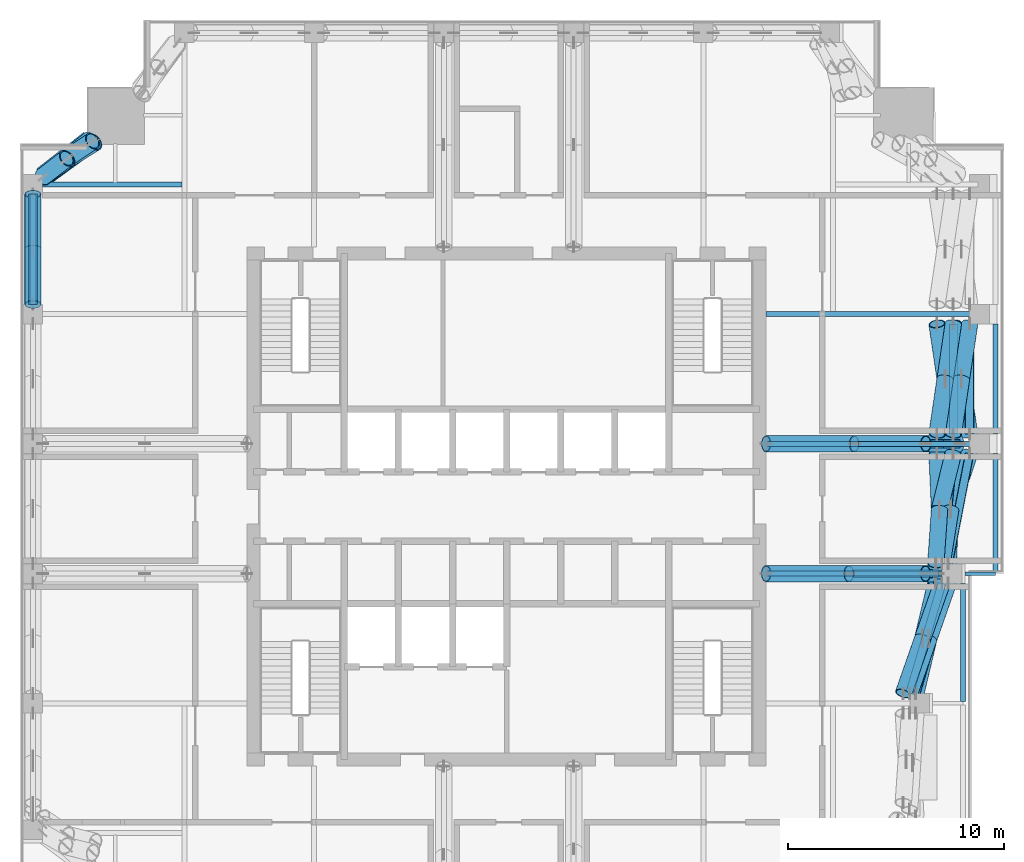
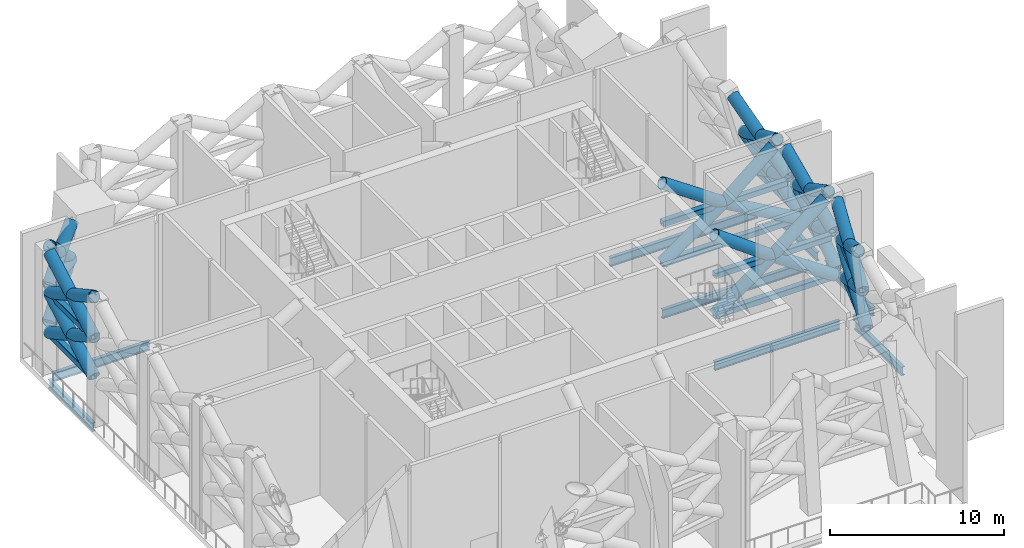
# One storey, part 4 of 18: 38 members, 23 beams.
"""IFC4 building model written with IfcOpenShell, lengths in metres."""

import ifcopenshell
import ifcopenshell.guid

model = None  # the IFC model being written
_history = None  # IfcOwnerHistory: only IFC2X3 demands one
_inside = {}  # id of a spatial element -> (the spatial element, [elements in it])
_under = {}  # id of a project, library or spatial element -> (it, [spatial elements below it])
_declared = {}  # id of a project -> (the project, [libraries it declares])
_typed = {}  # id of a type object -> (the type object, [elements of that type])
_made_of = {}  # id of a material, layer set ... -> (it, [elements and type objects made of it])


def new_model(schema):
    """Start an empty IFC model of exactly this schema.

    Asked for "IFC4X3", IfcOpenShell would pick the latest addendum, in which some entities
    have other attributes; the version numbers below select the first issue.
    IFC2X3 requires an IfcOwnerHistory on every rooted entity: one is made here for all.
    """
    global model, _history
    if schema == "IFC4X3":
        model = ifcopenshell.file(schema_version=(4, 3, 0, 0))
    else:
        model = ifcopenshell.file(schema=schema)
    _inside.clear()
    _under.clear()
    _declared.clear()
    _typed.clear()
    _made_of.clear()
    _history = None
    if model.schema == "IFC2X3":
        org = make("IfcOrganization", Name="unknown")
        user = make(
            "IfcPersonAndOrganization",
            ThePerson=make("IfcPerson", FamilyName="unknown"),
            TheOrganization=org,
        )
        app = make(
            "IfcApplication",
            ApplicationDeveloper=org,
            Version="unknown",
            ApplicationFullName="unknown",
            ApplicationIdentifier="unknown",
        )
        _history = make(
            "IfcOwnerHistory",
            OwningUser=user,
            OwningApplication=app,
            ChangeAction="ADDED",
            CreationDate=0,
        )
    return model


def make(cls, **values):
    """One entity of the class cls with the attributes given. An attribute that is None is left unset."""
    return model.create_entity(
        cls, **{name: value for name, value in values.items() if value is not None}
    )


def rooted(cls, **values):
    """An entity with a GlobalId (a new one), such as an element, a storey or a relation."""
    return make(cls, GlobalId=ifcopenshell.guid.new(), OwnerHistory=_history, **values)


def si_unit(unit_type, name, prefix=None):
    """IfcSIUnit, for example si_unit("LENGTHUNIT", "METRE", prefix="MILLI")."""
    return make("IfcSIUnit", UnitType=unit_type, Prefix=prefix, Name=name)


def assignment(units):
    """IfcUnitAssignment: the units of a project."""
    return None if units is None else make("IfcUnitAssignment", Units=units)


def point(xyz):
    """IfcCartesianPoint."""
    return None if xyz is None else make("IfcCartesianPoint", Coordinates=xyz)


def direction(xyz):
    """IfcDirection."""
    return None if xyz is None else make("IfcDirection", DirectionRatios=xyz)


def frame(location, z_axis=None, x_axis=None):
    """IfcAxis2Placement3D, a coordinate frame: its origin and axes. An axis left out is left unset."""
    return make(
        "IfcAxis2Placement3D",
        Location=point(location),
        Axis=direction(z_axis),
        RefDirection=direction(x_axis),
    )


def frame_2d(location, x_axis=None):
    """IfcAxis2Placement2D, a coordinate frame in the plane: its origin and x axis."""
    return make(
        "IfcAxis2Placement2D", Location=point(location), RefDirection=direction(x_axis)
    )


def origin():
    """The frame at (0, 0, 0) with its axes left unset."""
    return frame((0.0, 0.0, 0.0))


def origin_2d():
    """The frame at (0, 0) in the plane with its x axis left unset."""
    return frame_2d((0.0, 0.0))


def place(relative_to, where):
    """IfcLocalPlacement: puts the frame where relative to a parent placement (None: the world)."""
    return make(
        "IfcLocalPlacement", PlacementRelTo=relative_to, RelativePlacement=where
    )


def context(
    kind, dimensions, precision=None, world=None, true_north=None, identifier=None
):
    """IfcGeometricRepresentationContext, for example the 3D "Model" context."""
    return make(
        "IfcGeometricRepresentationContext",
        ContextIdentifier=identifier,
        ContextType=kind,
        CoordinateSpaceDimension=dimensions,
        Precision=precision,
        WorldCoordinateSystem=world,
        TrueNorth=true_north,
    )


def subcontext(parent, identifier, kind, view, scale=None):
    """IfcGeometricRepresentationSubContext, for example "Body" below "Model"."""
    return make(
        "IfcGeometricRepresentationSubContext",
        ContextIdentifier=identifier,
        ContextType=kind,
        ParentContext=parent,
        TargetScale=scale,
        TargetView=view,
    )


def project(units=None, contexts=None):
    """IfcProject with its units and contexts."""
    return rooted(
        "IfcProject",
        Name="project",
        RepresentationContexts=contexts,
        UnitsInContext=assignment(units),
    )


def spatial(cls, under=None, at=None, **own):
    """A site, building, storey or space (cls), placed at a placement, below another one or the project."""
    s = rooted(cls, ObjectPlacement=at, **own)
    if under is not None:
        _under.setdefault(under.id(), (under, []))[1].append(s)
    return s


def profile(cls, at=None, kind="AREA", **sizes):
    """A parametric profile (cls). Its sizes go by their IFC names, for example OverallWidth=200.0."""
    return make(cls, ProfileType=kind, Position=at, **sizes)


def hollow_rectangle(**sizes):
    """IfcRectangleHollowProfileDef."""
    return profile("IfcRectangleHollowProfileDef", **sizes)


def hollow_circle(**sizes):
    """IfcCircleHollowProfileDef."""
    return profile("IfcCircleHollowProfileDef", **sizes)


def i_section(**sizes):
    """IfcIShapeProfileDef."""
    return profile("IfcIShapeProfileDef", **sizes)


def extrude(swept, where, along, depth):
    """IfcExtrudedAreaSolid: the profile swept, set in the frame where, extruded along a direction by depth."""
    return make(
        "IfcExtrudedAreaSolid",
        SweptArea=swept,
        Position=where,
        ExtrudedDirection=direction(along),
        Depth=depth,
    )


def shape(context_of_items, identifier, shape_type, items):
    """IfcShapeRepresentation: the items that make up one representation, for example the "Body"."""
    return make(
        "IfcShapeRepresentation",
        ContextOfItems=context_of_items,
        RepresentationIdentifier=identifier,
        RepresentationType=shape_type,
        Items=items,
    )


def material(Name=None, Category=None):
    """IfcMaterial."""
    return make("IfcMaterial", Name=Name, Category=Category)


def material_profile(
    of_material, cross_section, Name=None, Category=None, Priority=None
):
    """IfcMaterialProfile: a cross section and its material."""
    return make(
        "IfcMaterialProfile",
        Name=Name,
        Material=of_material,
        Profile=cross_section,
        Priority=Priority,
        Category=Category,
    )


def profile_set(profiles, Name=None, composite=None):
    """IfcMaterialProfileSet."""
    return make(
        "IfcMaterialProfileSet",
        Name=Name,
        MaterialProfiles=profiles,
        CompositeProfile=composite,
    )


def made_of(thing, what):
    """Note that an element or type object is made of a material, layer set ...; save() writes the relation."""
    if what is not None:
        _made_of.setdefault(what.id(), (what, []))[1].append(thing)
    return thing


def type_object(cls, material=None, **own):
    """A type object (cls), such as IfcWallType, which elements share."""
    return made_of(rooted(cls, **own), material)


def element(
    cls,
    number,
    at=None,
    inside=None,
    cuts=None,
    type_object=None,
    material=None,
    context=None,
    identifier="Body",
    shape_type=None,
    held_by="IfcProductDefinitionShape",
    body=None,
    shapes=None,
    **own,
):
    """One element of the class cls, such as IfcWall. Its Tag is "e" and its number.

    at: its placement. inside: the storey or other place that contains it. cuts: it is an
    opening in that element (IfcRelVoidsElement). A single representation is given by context,
    identifier, shape_type and body (its items); several are given by shapes. held_by: the class
    of the entity that holds the representations. save() writes the other relations.
    """
    e = rooted(cls, Tag="e%d" % number, ObjectPlacement=at, **own)
    if body is not None:
        shapes = [shape(context, identifier, shape_type, body)]
    if shapes is not None:
        e.Representation = make(held_by, Representations=shapes)
    if inside is not None:
        _inside.setdefault(inside.id(), (inside, []))[1].append(e)
    if cuts is not None:
        rooted(
            "IfcRelVoidsElement", RelatingBuildingElement=cuts, RelatedOpeningElement=e
        )
    if type_object is not None:
        _typed.setdefault(type_object.id(), (type_object, []))[1].append(e)
    return made_of(e, material)


def aggregate(whole, parts):
    """IfcRelAggregates: a whole, such as a stair, and the parts it consists of."""
    return rooted("IfcRelAggregates", RelatingObject=whole, RelatedObjects=parts)


def save(model, path):
    """Write the relations noted so far, then the file.

    IfcRelAggregates (storeys below a building ...), IfcRelContainedInSpatialStructure (elements
    in a storey), IfcRelDefinesByType, IfcRelAssociatesMaterial and IfcRelDeclares: one each for
    every whole, place, type object, material and project.
    """
    for whole, parts in _under.values():
        aggregate(whole, parts)
    for where, things in _inside.values():
        rooted(
            "IfcRelContainedInSpatialStructure",
            RelatedElements=things,
            RelatingStructure=where,
        )
    for kind, things in _typed.values():
        rooted("IfcRelDefinesByType", RelatedObjects=things, RelatingType=kind)
    for what, things in _made_of.values():
        rooted("IfcRelAssociatesMaterial", RelatedObjects=things, RelatingMaterial=what)
    for by, libraries in _declared.values():
        rooted("IfcRelDeclares", RelatingContext=by, RelatedDefinitions=libraries)
    model.write(path)


model = new_model("IFC4")

# Units and contexts
model_context = context("Model", 3, precision=1e-05, world=origin(), true_north=direction((0.0, 1.0)))
body_context = subcontext(model_context, "Body", "Model", "MODEL_VIEW")
ifc_project = project(units=[si_unit("LENGTHUNIT", "METRE"), si_unit("AREAUNIT", "SQUARE_METRE"), si_unit("VOLUMEUNIT", "CUBIC_METRE"), si_unit("PLANEANGLEUNIT", "RADIAN"), si_unit("MASSUNIT", "GRAM", prefix="KILO")], contexts=[model_context])

# Site, building, storey
site_placement = place(None, origin())
site = spatial("IfcSite", under=ifc_project, at=site_placement, CompositionType="ELEMENT")
building_placement = place(site_placement, origin())
building = spatial("IfcBuilding", under=site, at=building_placement, Name="Amberfall Residences", CompositionType="ELEMENT")
storey_placement = place(building_placement, frame((0.0, 0.0, 229.89990234375)))
storey = spatial("IfcBuildingStorey", under=building, at=storey_placement, Name="L62", CompositionType="ELEMENT", Elevation=229.89990234375)

# Beams
ifc_material = material(Name="Steel S355", Category="steel")
ifc_material_profile_1 = material_profile(ifc_material, hollow_circle(Radius=0.457275390625, WallThickness=0.06005859375, at=origin_2d()), Name="CHS 914.4x60")
ifc_profile_set_1 = profile_set([ifc_material_profile_1], Name="Steel S355")
beam_type_1 = type_object("IfcBeamType", Name="Belt truss chord BT CHS 914.4x60", PredefinedType="BEAM", material=ifc_profile_set_1)
beam_1_placement = place(storey_placement, frame((55.231201171875, 62.45361328125, 3.0), z_axis=(-0.788310564255, -0.615277542483, 0.0), x_axis=(0.615277542483, -0.788310564255, 0.0)))
element("IfcBeam", 1, at=beam_1_placement, inside=storey, type_object=beam_type_1, Name="Belt truss chord BT2 L62 NWW", PredefinedType="BEAM", context=body_context, shape_type="SweptSolid", body=[
    extrude(hollow_circle(Radius=0.457275390625, WallThickness=0.06005859375, at=origin_2d()), origin(), (0.0, 0.0, 1.0), 2.766845703125),
])
beam_2_placement = place(storey_placement, frame((55.35205078125, 62.40185546875, 5.646484375), z_axis=(-0.808673031194, -0.588258385933, 0.0), x_axis=(0.588258385933, -0.808673031194, 0.0)))
element("IfcBeam", 2, at=beam_2_placement, inside=storey, type_object=beam_type_1, Name="Belt truss chord BT2 L62 NWWm", PredefinedType="BEAM", context=body_context, shape_type="SweptSolid", body=[
    extrude(hollow_circle(Radius=0.457275390625, WallThickness=0.06005859375, at=origin_2d()), origin(), (0.0, 0.0, 1.0), 2.8466796875),
])
ifc_material_profile_2 = material_profile(ifc_material, hollow_rectangle(XDim=0.39990234375, YDim=0.39990234375, WallThickness=0.02001953125, InnerFilletRadius=0.02001953125, OuterFilletRadius=0.030029296875, at=origin_2d()), Name="RHS 400x400x20")
ifc_profile_set_2 = profile_set([ifc_material_profile_2], Name="Steel S355")
beam_type_2 = type_object("IfcBeamType", Name="Belt truss chord BT RHS 400x400x20", PredefinedType="BEAM", material=ifc_profile_set_2)
for number, where, z_axis, x_axis, name in (
    (3, (93.421142578125, 36.85009765625, 2.900146484375), (0.282173783419, 0.959363307591, 0.0), (-0.959363307591, 0.282173783419, 0.0), "Belt truss chord BT3 L62 E2"),
    (4, (93.1337890625, 36.85009765625, 5.7001953125), (0.282173783419, 0.959363307591, 0.0), (-0.959363307591, 0.282173783419, 0.0), "Belt truss chord BT3 L62 E2m"),
):
    element("IfcBeam", number, at=place(storey_placement, frame(where, z_axis=z_axis, x_axis=x_axis)), inside=storey, type_object=beam_type_2, Name=name, PredefinedType="BEAM", context=body_context, shape_type="SweptSolid", body=[
        extrude(hollow_rectangle(XDim=0.39990234375, YDim=0.39990234375, WallThickness=0.02001953125, InnerFilletRadius=0.02001953125, OuterFilletRadius=0.030029296875, at=origin_2d()), origin(), (0.0, 0.0, 1.0), 5.31591796875),
    ])
beam_3_placement = place(storey_placement, frame((94.921142578125, 42.85009765625, 2.900146484375), z_axis=(0.189975141776, 0.981788900684, 0.0), x_axis=(-0.981788900684, 0.189975141776, 0.0)))
element("IfcBeam", 5, at=beam_3_placement, inside=storey, type_object=beam_type_2, Name="Belt truss chord BT3 L62 E3", PredefinedType="BEAM", context=body_context, shape_type="SweptSolid", body=[
    extrude(hollow_rectangle(XDim=0.39990234375, YDim=0.39990234375, WallThickness=0.02001953125, InnerFilletRadius=0.02001953125, OuterFilletRadius=0.030029296875, at=origin_2d()), origin(), (0.0, 0.0, 1.0), 5.1943359375),
])
beam_4_placement = place(storey_placement, frame((94.6337890625, 42.85009765625, 5.7001953125), z_axis=(0.101771471961, 0.994807804299, 0.0), x_axis=(-0.994807804299, 0.101771471961, 0.0)))
element("IfcBeam", 6, at=beam_4_placement, inside=storey, type_object=beam_type_2, Name="Belt truss chord BT3 L62 E3m", PredefinedType="BEAM", context=body_context, shape_type="SweptSolid", body=[
    extrude(hollow_rectangle(XDim=0.39990234375, YDim=0.39990234375, WallThickness=0.02001953125, InnerFilletRadius=0.02001953125, OuterFilletRadius=0.030029296875, at=origin_2d()), origin(), (0.0, 0.0, 1.0), 5.12646484375),
])
for number, where, z_axis, x_axis, name in (
    (7, (95.907958984375, 48.85009765625, 2.900146484375), (0.0, 1.0, 0.0), (-1.0, 0.0, 0.0), "Belt truss chord BT3 L62 E4"),
    (8, (95.155517578125, 48.85009765625, 5.7001953125), (0.0, 1.0, 0.0), (-1.0, 0.0, 0.0), "Belt truss chord BT3 L62 E4m"),
    (9, (52.60009765625, 54.85009765625, 2.900146484375), (0.0, 1.0, 0.0), (-1.0, 0.0, 0.0), "Belt truss chord BT3 L62 W5"),
    (10, (52.60009765625, 54.85009765625, 5.7001953125), (0.0, 1.0, 0.0), (-1.0, 0.0, 0.0), "Belt truss chord BT3 L62 W5m"),
):
    element("IfcBeam", number, at=place(storey_placement, frame(where, z_axis=z_axis, x_axis=x_axis)), inside=storey, type_object=beam_type_2, Name=name, PredefinedType="BEAM", context=body_context, shape_type="SweptSolid", body=[
        extrude(hollow_rectangle(XDim=0.39990234375, YDim=0.39990234375, WallThickness=0.02001953125, InnerFilletRadius=0.02001953125, OuterFilletRadius=0.030029296875, at=origin_2d()), origin(), (0.0, 0.0, 1.0), 5.099853515625),
    ])

# Members
ifc_material_profile_3 = material_profile(ifc_material, hollow_circle(Radius=0.381103515625, WallThickness=0.0400390625, at=origin_2d()), Name="CHS 762x40")
ifc_profile_set_3 = profile_set([ifc_material_profile_3], Name="Steel S355")
member_type_1 = type_object("IfcMemberType", Name="Belt truss diagonal BT CHS 762x40", PredefinedType="BRACE", material=ifc_profile_set_3)
member_1_placement = place(storey_placement, frame((93.421142578125, 36.85009765625, 2.900146484375), z_axis=(0.204046065373, 0.858127292041, 0.471150457773), x_axis=(-0.972875132422, 0.231330881456, 0.0)))
element("IfcMember", 11, at=member_1_placement, inside=storey, type_object=member_type_1, Name="Belt truss diagonal BT4 L62 E2d", PredefinedType="BRACE", context=body_context, shape_type="SweptSolid", body=[
    extrude(hollow_circle(Radius=0.381103515625, WallThickness=0.0400390625, at=origin_2d()), origin(), (0.0, 0.0, 1.0), 5.943115234375),
])
for number, where, z_axis, x_axis, name in (
    (12, (93.1337890625, 36.85009765625, 5.7001953125), (0.293707983713, 0.837882049138, -0.460097046324), (-0.94370047414, 0.330801171565, 0.0), "Belt truss diagonal BT4 L62 E2e"),
    (13, (94.027587890625, 39.39990234375, 4.300048828125), (0.293625774164, 0.837956615065, -0.460013712856), (-0.943738561367, 0.330692497329, 0.0), "Belt truss diagonal BT4 L62 E2e2"),
):
    element("IfcMember", number, at=place(storey_placement, frame(where, z_axis=z_axis, x_axis=x_axis)), inside=storey, type_object=member_type_1, Name=name, PredefinedType="BRACE", context=body_context, shape_type="SweptSolid", body=[
        extrude(hollow_circle(Radius=0.381103515625, WallThickness=0.0400390625, at=origin_2d()), origin(), (0.0, 0.0, 1.0), 3.043212890625),
    ])
member_2_placement = place(storey_placement, frame((93.1337890625, 36.85009765625, 5.7001953125), z_axis=(0.204089384804, 0.858136706756, 0.471114546081), x_axis=(-0.972864649874, 0.231374961969, 0.0)))
element("IfcMember", 14, at=member_2_placement, inside=storey, type_object=member_type_1, Name="Belt truss diagonal BT4 L62 E2du", PredefinedType="BRACE", context=body_context, shape_type="SweptSolid", body=[
    extrude(hollow_circle(Radius=0.381103515625, WallThickness=0.0400390625, at=origin_2d()), origin(), (0.0, 0.0, 1.0), 5.94287109375),
])
member_3_placement = place(storey_placement, frame((92.8466796875, 36.85009765625, 8.5), z_axis=(0.293645514375, 0.837932719162, -0.460044639188), x_axis=(-0.943728679306, 0.33072069765, 0.0)))
element("IfcMember", 15, at=member_3_placement, inside=storey, type_object=member_type_1, Name="Belt truss diagonal BT4 L62 E2eu", PredefinedType="BRACE", context=body_context, shape_type="SweptSolid", body=[
    extrude(hollow_circle(Radius=0.381103515625, WallThickness=0.0400390625, at=origin_2d()), origin(), (0.0, 0.0, 1.0), 3.04296875),
])
member_4_placement = place(storey_placement, frame((93.740234375, 39.39990234375, 7.10009765625), z_axis=(0.293625774164, 0.837956615065, -0.460013712856), x_axis=(-0.943738561367, 0.330692497329, 0.0)))
element("IfcMember", 16, at=member_4_placement, inside=storey, type_object=member_type_1, Name="Belt truss diagonal BT4 L62 E2e2u", PredefinedType="BRACE", context=body_context, shape_type="SweptSolid", body=[
    extrude(hollow_circle(Radius=0.381103515625, WallThickness=0.0400390625, at=origin_2d()), origin(), (0.0, 0.0, 1.0), 3.043212890625),
])
member_5_placement = place(storey_placement, frame((94.921142578125, 42.85009765625, 2.900146484375), z_axis=(0.040252018778, 0.875858771099, 0.480885836839), x_axis=(-0.998945637643, 0.045908746811, 0.0)))
element("IfcMember", 17, at=member_5_placement, inside=storey, type_object=member_type_1, Name="Belt truss diagonal BT4 L62 E3d", PredefinedType="BRACE", context=body_context, shape_type="SweptSolid", body=[
    extrude(hollow_circle(Radius=0.381103515625, WallThickness=0.0400390625, at=origin_2d()), origin(), (0.0, 0.0, 1.0), 5.82275390625),
])
member_6_placement = place(storey_placement, frame((94.6337890625, 42.85009765625, 5.7001953125), z_axis=(0.138002846801, 0.864834537209, -0.482717761767), x_axis=(-0.987506576559, 0.15757779429, 0.0)))
element("IfcMember", 18, at=member_6_placement, inside=storey, type_object=member_type_1, Name="Belt truss diagonal BT4 L62 E3e", PredefinedType="BRACE", context=body_context, shape_type="SweptSolid", body=[
    extrude(hollow_circle(Radius=0.381103515625, WallThickness=0.0400390625, at=origin_2d()), origin(), (0.0, 0.0, 1.0), 2.92431640625),
])
member_7_placement = place(storey_placement, frame((95.037353515625, 45.379150390625, 4.28857421875), z_axis=(0.285564129166, 0.843239001715, -0.455413124668), x_axis=(-0.947161325603, 0.320757577123, 0.0)))
element("IfcMember", 19, at=member_7_placement, inside=storey, type_object=member_type_1, Name="Belt truss diagonal BT4 L62 E3e2", PredefinedType="BRACE", context=body_context, shape_type="SweptSolid", body=[
    extrude(hollow_circle(Radius=0.381103515625, WallThickness=0.0400390625, at=origin_2d()), origin(), (0.0, 0.0, 1.0), 3.048828125),
])
member_8_placement = place(storey_placement, frame((94.6337890625, 42.85009765625, 5.7001953125), z_axis=(-0.03962487526, 0.875898433123, 0.480865681988), x_axis=(-0.998978278969, -0.045192899307, 0.0)))
element("IfcMember", 20, at=member_8_placement, inside=storey, type_object=member_type_1, Name="Belt truss diagonal BT4 L62 E3du", PredefinedType="BRACE", context=body_context, shape_type="SweptSolid", body=[
    extrude(hollow_circle(Radius=0.381103515625, WallThickness=0.0400390625, at=origin_2d()), origin(), (0.0, 0.0, 1.0), 5.822509765625),
])
member_9_placement = place(storey_placement, frame((94.3466796875, 42.85009765625, 8.5), z_axis=(0.059793459509, 0.869914717685, -0.489564220665), x_axis=(-0.997646097497, 0.068573057017, 0.0)))
element("IfcMember", 21, at=member_9_placement, inside=storey, type_object=member_type_1, Name="Belt truss diagonal BT4 L62 E3eu", PredefinedType="BRACE", context=body_context, shape_type="SweptSolid", body=[
    extrude(hollow_circle(Radius=0.381103515625, WallThickness=0.0400390625, at=origin_2d()), origin(), (0.0, 0.0, 1.0), 2.894775390625),
])
member_10_placement = place(storey_placement, frame((94.519775390625, 45.368408203125, 7.082763671875), z_axis=(0.21214959093, 0.861470727531, -0.461368330812), x_axis=(-0.97098995446, 0.239120280066, 0.0)))
element("IfcMember", 22, at=member_10_placement, inside=storey, type_object=member_type_1, Name="Belt truss diagonal BT4 L62 E3e2u", PredefinedType="BRACE", context=body_context, shape_type="SweptSolid", body=[
    extrude(hollow_circle(Radius=0.381103515625, WallThickness=0.0400390625, at=origin_2d()), origin(), (0.0, 0.0, 1.0), 2.99658203125),
])
member_11_placement = place(storey_placement, frame((95.907958984375, 48.85009765625, 2.900146484375), z_axis=(-0.128262331895, 0.86932895878, 0.477300676349), x_axis=(-0.989290251466, -0.145961633157, 0.0)))
element("IfcMember", 23, at=member_11_placement, inside=storey, type_object=member_type_1, Name="Belt truss diagonal BT4 L62 E4d", PredefinedType="BRACE", context=body_context, shape_type="SweptSolid", body=[
    extrude(hollow_circle(Radius=0.381103515625, WallThickness=0.0400390625, at=origin_2d()), origin(), (0.0, 0.0, 1.0), 5.866455078125),
])
member_12_placement = place(storey_placement, frame((95.155517578125, 48.85009765625, 5.7001953125), z_axis=(0.128264424309, 0.86930152335, -0.477350080086), x_axis=(-0.989289242413, 0.145968472095, 0.0)))
element("IfcMember", 24, at=member_12_placement, inside=storey, type_object=member_type_1, Name="Belt truss diagonal BT4 L62 E4e", PredefinedType="BRACE", context=body_context, shape_type="SweptSolid", body=[
    extrude(hollow_circle(Radius=0.381103515625, WallThickness=0.0400390625, at=origin_2d()), origin(), (0.0, 0.0, 1.0), 2.93310546875),
])
member_13_placement = place(storey_placement, frame((95.53173828125, 51.39990234375, 4.300048828125), z_axis=(0.12826023914, 0.869356390535, -0.477251272698), x_axis=(-0.989291260378, 0.145954794853, 0.0)))
element("IfcMember", 25, at=member_13_placement, inside=storey, type_object=member_type_1, Name="Belt truss diagonal BT4 L62 E4e2", PredefinedType="BRACE", context=body_context, shape_type="SweptSolid", body=[
    extrude(hollow_circle(Radius=0.381103515625, WallThickness=0.0400390625, at=origin_2d()), origin(), (0.0, 0.0, 1.0), 2.933349609375),
])
member_14_placement = place(storey_placement, frame((95.155517578125, 48.85009765625, 5.7001953125), z_axis=(-0.128264879615, 0.869346226568, 0.477268539723), x_axis=(-0.989290251466, -0.145961633157, 0.0)))
element("IfcMember", 26, at=member_14_placement, inside=storey, type_object=member_type_1, Name="Belt truss diagonal BT4 L62 E4du", PredefinedType="BRACE", context=body_context, shape_type="SweptSolid", body=[
    extrude(hollow_circle(Radius=0.381103515625, WallThickness=0.0400390625, at=origin_2d()), origin(), (0.0, 0.0, 1.0), 5.8662109375),
])
member_15_placement = place(storey_placement, frame((94.403076171875, 48.85009765625, 8.5), z_axis=(0.128269520372, 0.869336061497, -0.477285807796), x_axis=(-0.989289242413, 0.145968472095, 0.0)))
element("IfcMember", 27, at=member_15_placement, inside=storey, type_object=member_type_1, Name="Belt truss diagonal BT4 L62 E4eu", PredefinedType="BRACE", context=body_context, shape_type="SweptSolid", body=[
    extrude(hollow_circle(Radius=0.381103515625, WallThickness=0.0400390625, at=origin_2d()), origin(), (0.0, 0.0, 1.0), 2.93310546875),
])
member_16_placement = place(storey_placement, frame((94.779296875, 51.39990234375, 7.10009765625), z_axis=(0.12826023914, 0.869356390535, -0.477251272698), x_axis=(-0.989291260378, 0.145954794853, 0.0)))
element("IfcMember", 28, at=member_16_placement, inside=storey, type_object=member_type_1, Name="Belt truss diagonal BT4 L62 E4e2u", PredefinedType="BRACE", context=body_context, shape_type="SweptSolid", body=[
    extrude(hollow_circle(Radius=0.381103515625, WallThickness=0.0400390625, at=origin_2d()), origin(), (0.0, 0.0, 1.0), 2.933349609375),
])
member_17_placement = place(storey_placement, frame((52.60009765625, 54.85009765625, 2.900146484375), z_axis=(0.0, 0.876569178627, 0.481275882506), x_axis=(-1.0, 0.0, 0.0)))
element("IfcMember", 29, at=member_17_placement, inside=storey, type_object=member_type_1, Name="Belt truss diagonal BT4 L62 W5d", PredefinedType="BRACE", context=body_context, shape_type="SweptSolid", body=[
    extrude(hollow_circle(Radius=0.381103515625, WallThickness=0.0400390625, at=origin_2d()), origin(), (0.0, 0.0, 1.0), 5.81787109375),
])
for number, where, z_axis, x_axis, name in (
    (30, (52.60009765625, 54.85009765625, 5.7001953125), (0.0, 0.876541753881, -0.481325829042), (-1.0, 0.0, 0.0), "Belt truss diagonal BT4 L62 W5e"),
    (31, (52.60009765625, 57.39990234375, 4.300048828125), (0.0, 0.876596599616, -0.481225936065), (-1.0, 0.0, 0.0), "Belt truss diagonal BT4 L62 W5e2"),
):
    element("IfcMember", number, at=place(storey_placement, frame(where, z_axis=z_axis, x_axis=x_axis)), inside=storey, type_object=member_type_1, Name=name, PredefinedType="BRACE", context=body_context, shape_type="SweptSolid", body=[
        extrude(hollow_circle(Radius=0.381103515625, WallThickness=0.0400390625, at=origin_2d()), origin(), (0.0, 0.0, 1.0), 2.908935546875),
    ])
member_18_placement = place(storey_placement, frame((52.60009765625, 54.85009765625, 5.7001953125), z_axis=(0.0, 0.876586881471, 0.481243638121), x_axis=(-1.0, 0.0, 0.0)))
element("IfcMember", 32, at=member_18_placement, inside=storey, type_object=member_type_1, Name="Belt truss diagonal BT4 L62 W5du", PredefinedType="BRACE", context=body_context, shape_type="SweptSolid", body=[
    extrude(hollow_circle(Radius=0.381103515625, WallThickness=0.0400390625, at=origin_2d()), origin(), (0.0, 0.0, 1.0), 5.81787109375),
])
for number, where, z_axis, x_axis, name in (
    (33, (52.60009765625, 54.85009765625, 8.5), (0.0, 0.876577162254, -0.481261341284), (-1.0, 0.0, 0.0), "Belt truss diagonal BT4 L62 W5eu"),
    (34, (52.60009765625, 57.39990234375, 7.10009765625), (0.0, 0.876596599616, -0.481225936065), (-1.0, 0.0, 0.0), "Belt truss diagonal BT4 L62 W5e2u"),
):
    element("IfcMember", number, at=place(storey_placement, frame(where, z_axis=z_axis, x_axis=x_axis)), inside=storey, type_object=member_type_1, Name=name, PredefinedType="BRACE", context=body_context, shape_type="SweptSolid", body=[
        extrude(hollow_circle(Radius=0.381103515625, WallThickness=0.0400390625, at=origin_2d()), origin(), (0.0, 0.0, 1.0), 2.908935546875),
    ])
ifc_material_profile_4 = material_profile(ifc_material, hollow_circle(Radius=0.406494140625, WallThickness=0.050048828125, at=origin_2d()), Name="CHS 813x50")
ifc_profile_set_4 = profile_set([ifc_material_profile_4], Name="Steel S355")
member_type_2 = type_object("IfcMemberType", Name="Belt truss diagonal BT CHS 813x50", PredefinedType="BRACE", material=ifc_profile_set_4)
member_19_placement = place(storey_placement, frame((55.231201171875, 62.45361328125, 3.0), z_axis=(-0.568087788481, -0.449624888331, 0.689284936998), x_axis=(0.620608521204, -0.784120566883, 0.0)))
element("IfcMember", 35, at=member_19_placement, inside=storey, type_object=member_type_2, Name="Belt truss diagonal BT5 L62 NWWd", PredefinedType="BRACE", context=body_context, shape_type="SweptSolid", body=[
    extrude(hollow_circle(Radius=0.406494140625, WallThickness=0.050048828125, at=origin_2d()), origin(), (0.0, 0.0, 1.0), 3.83935546875),
])
member_20_placement = place(storey_placement, frame((55.35205078125, 62.40185546875, 5.646484375), z_axis=(-0.608224346336, -0.406434346919, -0.681816886098), x_axis=(0.555600315839, -0.831449510818, 0.0)))
element("IfcMember", 36, at=member_20_placement, inside=storey, type_object=member_type_2, Name="Belt truss diagonal BT5 L62 NWWe", PredefinedType="BRACE", context=body_context, shape_type="SweptSolid", body=[
    extrude(hollow_circle(Radius=0.406494140625, WallThickness=0.050048828125, at=origin_2d()), origin(), (0.0, 0.0, 1.0), 1.96728515625),
])
member_21_placement = place(storey_placement, frame((54.155517578125, 61.602294921875, 4.30517578125), z_axis=(-0.578638911494, -0.445480398734, -0.683172177748), x_axis=(0.610032076758, -0.792376719324, 0.0)))
element("IfcMember", 37, at=member_21_placement, inside=storey, type_object=member_type_2, Name="Belt truss diagonal BT5 L62 NWWe2", PredefinedType="BRACE", context=body_context, shape_type="SweptSolid", body=[
    extrude(hollow_circle(Radius=0.406494140625, WallThickness=0.050048828125, at=origin_2d()), origin(), (0.0, 0.0, 1.0), 1.910400390625),
])
member_22_placement = place(storey_placement, frame((55.35205078125, 62.40185546875, 5.646484375), z_axis=(-0.590798123904, -0.435470035118, 0.679207939667), x_axis=(0.593327163393, -0.804961413473, 0.0)))
element("IfcMember", 38, at=member_22_placement, inside=storey, type_object=member_type_2, Name="Belt truss diagonal BT5 L62 NWWdu", PredefinedType="BRACE", context=body_context, shape_type="SweptSolid", body=[
    extrude(hollow_circle(Radius=0.406494140625, WallThickness=0.050048828125, at=origin_2d()), origin(), (0.0, 0.0, 1.0), 3.896484375),
])
member_23_placement = place(storey_placement, frame((55.470703125, 62.346923828125, 8.29296875), z_axis=(-0.628645521569, -0.391940115024, -0.671705109737), x_axis=(0.529063522543, -0.848582222955, 0.0)))
element("IfcMember", 39, at=member_23_placement, inside=storey, type_object=member_type_2, Name="Belt truss diagonal BT5 L62 NWWeu", PredefinedType="BRACE", context=body_context, shape_type="SweptSolid", body=[
    extrude(hollow_circle(Radius=0.406494140625, WallThickness=0.050048828125, at=origin_2d()), origin(), (0.0, 0.0, 1.0), 1.995849609375),
])
member_24_placement = place(storey_placement, frame((54.216064453125, 61.564697265625, 6.952392578125), z_axis=(-0.600828980905, -0.431499875315, -0.672913362408), x_axis=(0.583327630739, -0.812236957554, 0.0)))
element("IfcMember", 40, at=member_24_placement, inside=storey, type_object=member_type_2, Name="Belt truss diagonal BT5 L62 NWWe2u", PredefinedType="BRACE", context=body_context, shape_type="SweptSolid", body=[
    extrude(hollow_circle(Radius=0.406494140625, WallThickness=0.050048828125, at=origin_2d()), origin(), (0.0, 0.0, 1.0), 1.940673828125),
])

# Beams
ifc_material_profile_5 = material_profile(ifc_material, i_section(OverallWidth=0.171142578125, OverallDepth=0.351318359375, WebThickness=0.007080078125, FlangeThickness=0.009765625, FilletRadius=0.01025390625, at=origin_2d()), Name="UB 356x171x45")
ifc_profile_set_5 = profile_set([ifc_material_profile_5], Name="Steel S355")
beam_type_3 = type_object("IfcBeamType", Name="Cantilever girder UB 356x171x45", PredefinedType="BEAM", material=ifc_profile_set_5)
beam_5_placement = place(storey_placement, frame((95.699951171875, 42.39990234375, -0.525634765625), z_axis=(1.0, 0.0, 0.0), x_axis=(0.0, 1.0, 0.0)))
element("IfcBeam", 41, at=beam_5_placement, inside=storey, type_object=beam_type_3, Name="Cantilever girder B8 L62 22", PredefinedType="BEAM", context=body_context, shape_type="SweptSolid", body=[
    extrude(i_section(OverallWidth=0.171142578125, OverallDepth=0.351318359375, WebThickness=0.007080078125, FlangeThickness=0.009765625, FilletRadius=0.01025390625, at=origin_2d()), origin(), (0.0, 0.0, 1.0), 1.400146484375),
])
ifc_material_profile_6 = material_profile(ifc_material, i_section(OverallWidth=0.228271484375, OverallDepth=0.607666015625, WebThickness=0.010986328125, FlangeThickness=0.017333984375, FilletRadius=0.0126953125, at=origin_2d()), Name="UB 610x229x113")
ifc_profile_set_6 = profile_set([ifc_material_profile_6], Name="Steel S355")
beam_type_4 = type_object("IfcBeamType", Name="Edge beam UB 610x229x113", PredefinedType="SPANDREL", material=ifc_profile_set_6)
for number, where, z_axis, x_axis, name in (
    (42, (95.60009765625, 36.47998046875, -0.65380859375), (0.0, 1.0, 0.0), (-1.0, 0.0, 0.0), "Edge beam B12 L62 16"),
    (43, (97.10009765625, 42.47998046875, -0.65380859375), (0.0, 1.0, 0.0), (-1.0, 0.0, 0.0), "Edge beam B12 L62 17"),
):
    element("IfcBeam", number, at=place(storey_placement, frame(where, z_axis=z_axis, x_axis=x_axis)), inside=storey, type_object=beam_type_4, Name=name, PredefinedType="SPANDREL", context=body_context, shape_type="SweptSolid", body=[
        extrude(i_section(OverallWidth=0.228271484375, OverallDepth=0.607666015625, WebThickness=0.010986328125, FlangeThickness=0.017333984375, FilletRadius=0.0126953125, at=origin_2d()), origin(), (0.0, 0.0, 1.0), 5.469970703125),
    ])
for number, where, z_axis, x_axis, name in (
    (44, (97.10009765625, 48.85009765625, -0.65380859375), (0.0, 1.0, 0.0), (-1.0, 0.0, 0.0), "Edge beam B12 L62 18"),
    (45, (52.60009765625, 54.85009765625, -0.65380859375), (0.0, 1.0, 0.0), (-1.0, 0.0, 0.0), "Edge beam B12 L62 44"),
):
    element("IfcBeam", number, at=place(storey_placement, frame(where, z_axis=z_axis, x_axis=x_axis)), inside=storey, type_object=beam_type_4, Name=name, PredefinedType="SPANDREL", context=body_context, shape_type="SweptSolid", body=[
        extrude(i_section(OverallWidth=0.228271484375, OverallDepth=0.607666015625, WebThickness=0.010986328125, FlangeThickness=0.017333984375, FilletRadius=0.0126953125, at=origin_2d()), origin(), (0.0, 0.0, 1.0), 5.099853515625),
    ])
ifc_material_profile_7 = material_profile(ifc_material, i_section(OverallWidth=0.230224609375, OverallDepth=0.6171875, WebThickness=0.01318359375, FlangeThickness=0.022216796875, FilletRadius=0.0126953125, at=origin_2d()), Name="UB 610x229x140")
ifc_profile_set_7 = profile_set([ifc_material_profile_7], Name="Steel S355")
beam_type_5 = type_object("IfcBeamType", Name="Floor girder UB 610x229x140", PredefinedType="BEAM", material=ifc_profile_set_7)
beam_6_placement = place(storey_placement, frame((94.800048828125, 42.39990234375, -0.658447265625), z_axis=(-1.0, 0.0, 0.0), x_axis=(0.0, -1.0, 0.0)))
element("IfcBeam", 46, at=beam_6_placement, inside=storey, type_object=beam_type_5, Name="Floor girder B13 L62 25", PredefinedType="BEAM", context=body_context, shape_type="SweptSolid", body=[
    extrude(i_section(OverallWidth=0.230224609375, OverallDepth=0.6171875, WebThickness=0.01318359375, FlangeThickness=0.022216796875, FilletRadius=0.0126953125, at=origin_2d()), origin(), (0.0, 0.0, 1.0), 8.300048828125),
])
for number, where, z_axis, x_axis, name in (
    (47, (96.300048828125, 48.39990234375, -0.658447265625), (-1.0, 0.0, 0.0), (0.0, -1.0, 0.0), "Floor girder B13 L62 26"),
    (48, (96.300048828125, 54.39990234375, -0.658447265625), (-1.0, 0.0, 0.0), (0.0, -1.0, 0.0), "Floor girder B13 L62 27"),
):
    element("IfcBeam", number, at=place(storey_placement, frame(where, z_axis=z_axis, x_axis=x_axis)), inside=storey, type_object=beam_type_5, Name=name, PredefinedType="BEAM", context=body_context, shape_type="SweptSolid", body=[
        extrude(i_section(OverallWidth=0.230224609375, OverallDepth=0.6171875, WebThickness=0.01318359375, FlangeThickness=0.022216796875, FilletRadius=0.0126953125, at=origin_2d()), origin(), (0.0, 0.0, 1.0), 9.800048828125),
    ])
beam_7_placement = place(storey_placement, frame((53.050048828125, 60.39990234375, -0.658447265625), z_axis=(1.0, 0.0, 0.0), x_axis=(0.0, 1.0, 0.0)))
element("IfcBeam", 49, at=beam_7_placement, inside=storey, type_object=beam_type_5, Name="Floor girder B13 L62 50", PredefinedType="BEAM", context=body_context, shape_type="SweptSolid", body=[
    extrude(i_section(OverallWidth=0.230224609375, OverallDepth=0.6171875, WebThickness=0.01318359375, FlangeThickness=0.022216796875, FilletRadius=0.0126953125, at=origin_2d()), origin(), (0.0, 0.0, 1.0), 6.429931640625),
])
ifc_material_profile_8 = material_profile(ifc_material, hollow_rectangle(XDim=0.39990234375, YDim=0.39990234375, WallThickness=0.02001953125, InnerFilletRadius=0.02001953125, OuterFilletRadius=0.030029296875, at=origin_2d()), Name="RHS 400x400x20")
ifc_profile_set_8 = profile_set([ifc_material_profile_8], Name="Steel S355")
beam_type_6 = type_object("IfcBeamType", Name="Outrigger truss chord OT RHS 400x400x20", PredefinedType="BEAM", material=ifc_profile_set_8)
beam_8_placement = place(storey_placement, frame((94.47119140625, 42.39990234375, 2.900146484375), z_axis=(-1.0, 0.0, 0.0), x_axis=(0.0, -1.0, 0.0)))
element("IfcBeam", 50, at=beam_8_placement, inside=storey, type_object=beam_type_6, Name="Outrigger truss chord OT2 L62 7", PredefinedType="BEAM", context=body_context, shape_type="SweptSolid", body=[
    extrude(hollow_rectangle(XDim=0.39990234375, YDim=0.39990234375, WallThickness=0.02001953125, InnerFilletRadius=0.02001953125, OuterFilletRadius=0.030029296875, at=origin_2d()), origin(), (0.0, 0.0, 1.0), 7.97119140625),
])
beam_9_placement = place(storey_placement, frame((94.183837890625, 42.39990234375, 5.7001953125), z_axis=(-1.0, 0.0, 0.0), x_axis=(0.0, -1.0, 0.0)))
element("IfcBeam", 51, at=beam_9_placement, inside=storey, type_object=beam_type_6, Name="Outrigger truss chord OT2 L62 7m", PredefinedType="BEAM", context=body_context, shape_type="SweptSolid", body=[
    extrude(hollow_rectangle(XDim=0.39990234375, YDim=0.39990234375, WallThickness=0.02001953125, InnerFilletRadius=0.02001953125, OuterFilletRadius=0.030029296875, at=origin_2d()), origin(), (0.0, 0.0, 1.0), 7.683837890625),
])
beam_10_placement = place(storey_placement, frame((95.4580078125, 48.39990234375, 2.900146484375), z_axis=(-1.0, 0.0, 0.0), x_axis=(0.0, -1.0, 0.0)))
element("IfcBeam", 52, at=beam_10_placement, inside=storey, type_object=beam_type_6, Name="Outrigger truss chord OT2 L62 8", PredefinedType="BEAM", context=body_context, shape_type="SweptSolid", body=[
    extrude(hollow_rectangle(XDim=0.39990234375, YDim=0.39990234375, WallThickness=0.02001953125, InnerFilletRadius=0.02001953125, OuterFilletRadius=0.030029296875, at=origin_2d()), origin(), (0.0, 0.0, 1.0), 8.9580078125),
])
beam_11_placement = place(storey_placement, frame((94.70556640625, 48.39990234375, 5.7001953125), z_axis=(-1.0, 0.0, 0.0), x_axis=(0.0, -1.0, 0.0)))
element("IfcBeam", 53, at=beam_11_placement, inside=storey, type_object=beam_type_6, Name="Outrigger truss chord OT2 L62 8m", PredefinedType="BEAM", context=body_context, shape_type="SweptSolid", body=[
    extrude(hollow_rectangle(XDim=0.39990234375, YDim=0.39990234375, WallThickness=0.02001953125, InnerFilletRadius=0.02001953125, OuterFilletRadius=0.030029296875, at=origin_2d()), origin(), (0.0, 0.0, 1.0), 8.20556640625),
])

# Members
ifc_material_profile_9 = material_profile(ifc_material, hollow_circle(Radius=0.381103515625, WallThickness=0.0400390625, at=origin_2d()), Name="CHS 762x40")
ifc_profile_set_9 = profile_set([ifc_material_profile_9], Name="Steel S355")
member_type_3 = type_object("IfcMemberType", Name="Outrigger truss diagonal OT CHS 762x40", PredefinedType="BRACE", material=ifc_profile_set_9)
member_25_placement = place(storey_placement, frame((94.47119140625, 42.39990234375, 2.900146484375), z_axis=(-0.828065831818, 0.0, 0.560630875154), x_axis=(0.0, -1.0, 0.0)))
element("IfcMember", 54, at=member_25_placement, inside=storey, type_object=member_type_3, Name="Outrigger truss diagonal OT3 L62 7.1", PredefinedType="BRACE", context=body_context, shape_type="SweptSolid", body=[
    extrude(hollow_circle(Radius=0.381103515625, WallThickness=0.0400390625, at=origin_2d()), origin(), (0.0, 0.0, 1.0), 4.994384765625),
])
member_26_placement = place(storey_placement, frame((90.33544921875, 42.39990234375, 5.7001953125), z_axis=(-0.807669852312, 0.0, -0.589634980023), x_axis=(0.0, -1.0, 0.0)))
element("IfcMember", 55, at=member_26_placement, inside=storey, type_object=member_type_3, Name="Outrigger truss diagonal OT3 L62 7.2", PredefinedType="BRACE", context=body_context, shape_type="SweptSolid", body=[
    extrude(hollow_circle(Radius=0.381103515625, WallThickness=0.0400390625, at=origin_2d()), origin(), (0.0, 0.0, 1.0), 4.748779296875),
])
member_27_placement = place(storey_placement, frame((93.870849609375, 42.39990234375, 8.5), z_axis=(-0.783943723836, 0.0, -0.620831891786), x_axis=(0.0, -1.0, 0.0)))
element("IfcMember", 56, at=member_27_placement, inside=storey, type_object=member_type_3, Name="Outrigger truss diagonal OT3 L62 7.1u", PredefinedType="BRACE", context=body_context, shape_type="SweptSolid", body=[
    extrude(hollow_circle(Radius=0.381103515625, WallThickness=0.0400390625, at=origin_2d()), origin(), (0.0, 0.0, 1.0), 4.509765625),
])
member_28_placement = place(storey_placement, frame((90.33544921875, 42.39990234375, 5.7001953125), z_axis=(-0.807694335931, 0.0, 0.589601441404), x_axis=(0.0, -1.0, 0.0)))
element("IfcMember", 57, at=member_28_placement, inside=storey, type_object=member_type_3, Name="Outrigger truss diagonal OT3 L62 7.2u", PredefinedType="BRACE", context=body_context, shape_type="SweptSolid", body=[
    extrude(hollow_circle(Radius=0.381103515625, WallThickness=0.0400390625, at=origin_2d()), origin(), (0.0, 0.0, 1.0), 4.74853515625),
])
member_29_placement = place(storey_placement, frame((95.4580078125, 48.39990234375, 2.900146484375), z_axis=(-0.867013296756, 0.0, 0.498285002029), x_axis=(0.0, -1.0, 0.0)))
element("IfcMember", 58, at=member_29_placement, inside=storey, type_object=member_type_3, Name="Outrigger truss diagonal OT3 L62 8.1", PredefinedType="BRACE", context=body_context, shape_type="SweptSolid", body=[
    extrude(hollow_circle(Radius=0.381103515625, WallThickness=0.0400390625, at=origin_2d()), origin(), (0.0, 0.0, 1.0), 5.619384765625),
])
member_30_placement = place(storey_placement, frame((90.5859375, 48.39990234375, 5.7001953125), z_axis=(-0.824892364325, 0.0, -0.565289825911), x_axis=(0.0, -1.0, 0.0)))
element("IfcMember", 59, at=member_30_placement, inside=storey, type_object=member_type_3, Name="Outrigger truss diagonal OT3 L62 8.2", PredefinedType="BRACE", context=body_context, shape_type="SweptSolid", body=[
    extrude(hollow_circle(Radius=0.381103515625, WallThickness=0.0400390625, at=origin_2d()), origin(), (0.0, 0.0, 1.0), 4.953369140625),
])
member_31_placement = place(storey_placement, frame((93.8857421875, 48.39990234375, 8.5), z_axis=(-0.762512508849, 0.0, -0.646973472291), x_axis=(0.0, -1.0, 0.0)))
element("IfcMember", 60, at=member_31_placement, inside=storey, type_object=member_type_3, Name="Outrigger truss diagonal OT3 L62 8.1u", PredefinedType="BRACE", context=body_context, shape_type="SweptSolid", body=[
    extrude(hollow_circle(Radius=0.381103515625, WallThickness=0.0400390625, at=origin_2d()), origin(), (0.0, 0.0, 1.0), 4.32763671875),
])
member_32_placement = place(storey_placement, frame((90.5859375, 48.39990234375, 5.7001953125), z_axis=(-0.824915347673, 0.0, 0.565256286276), x_axis=(0.0, -1.0, 0.0)))
element("IfcMember", 61, at=member_32_placement, inside=storey, type_object=member_type_3, Name="Outrigger truss diagonal OT3 L62 8.2u", PredefinedType="BRACE", context=body_context, shape_type="SweptSolid", body=[
    extrude(hollow_circle(Radius=0.381103515625, WallThickness=0.0400390625, at=origin_2d()), origin(), (0.0, 0.0, 1.0), 4.953125),
])

save(model, "model.ifc")
